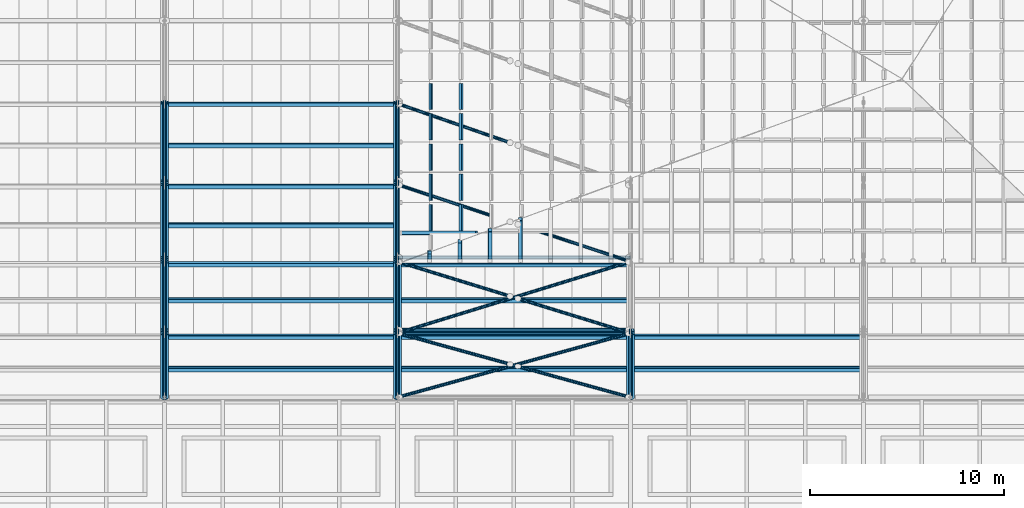
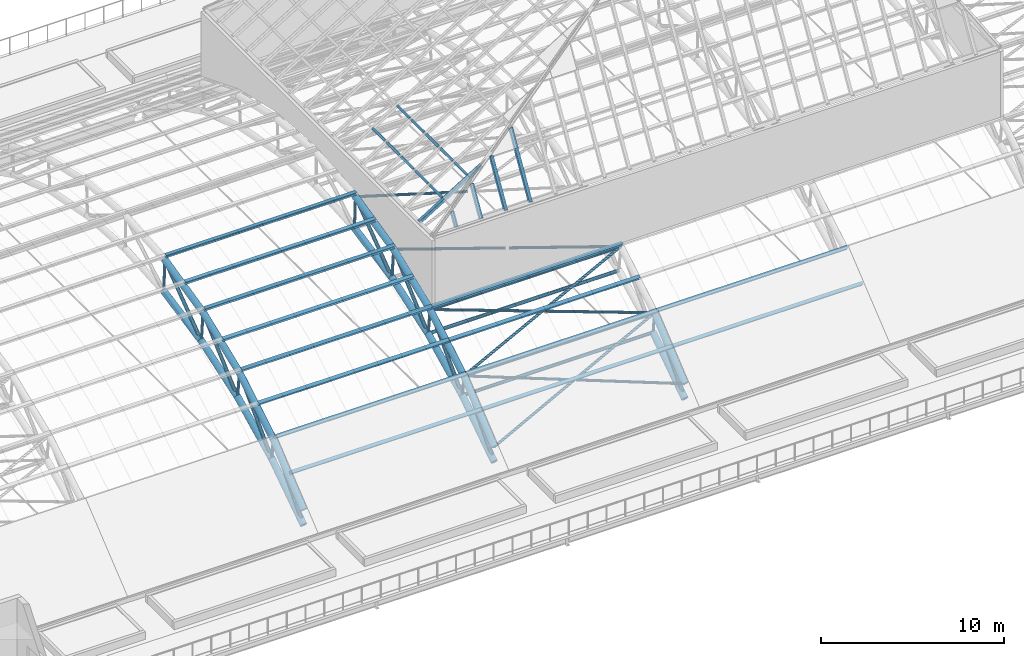
# One storey, part 6 of 110: 78 members.
"""IFC4 building model written with IfcOpenShell, lengths in metres."""

import ifcopenshell
import ifcopenshell.guid

model = None  # the IFC model being written
_history = None  # IfcOwnerHistory: only IFC2X3 demands one
_inside = {}  # id of a spatial element -> (the spatial element, [elements in it])
_under = {}  # id of a project, library or spatial element -> (it, [spatial elements below it])
_declared = {}  # id of a project -> (the project, [libraries it declares])
_typed = {}  # id of a type object -> (the type object, [elements of that type])
_made_of = {}  # id of a material, layer set ... -> (it, [elements and type objects made of it])


def new_model(schema):
    """Start an empty IFC model of exactly this schema.

    Asked for "IFC4X3", IfcOpenShell would pick the latest addendum, in which some entities
    have other attributes; the version numbers below select the first issue.
    IFC2X3 requires an IfcOwnerHistory on every rooted entity: one is made here for all.
    """
    global model, _history
    if schema == "IFC4X3":
        model = ifcopenshell.file(schema_version=(4, 3, 0, 0))
    else:
        model = ifcopenshell.file(schema=schema)
    _inside.clear()
    _under.clear()
    _declared.clear()
    _typed.clear()
    _made_of.clear()
    _history = None
    if model.schema == "IFC2X3":
        org = make("IfcOrganization", Name="unknown")
        user = make(
            "IfcPersonAndOrganization",
            ThePerson=make("IfcPerson", FamilyName="unknown"),
            TheOrganization=org,
        )
        app = make(
            "IfcApplication",
            ApplicationDeveloper=org,
            Version="unknown",
            ApplicationFullName="unknown",
            ApplicationIdentifier="unknown",
        )
        _history = make(
            "IfcOwnerHistory",
            OwningUser=user,
            OwningApplication=app,
            ChangeAction="ADDED",
            CreationDate=0,
        )
    return model


def make(cls, **values):
    """One entity of the class cls with the attributes given. An attribute that is None is left unset."""
    return model.create_entity(
        cls, **{name: value for name, value in values.items() if value is not None}
    )


def rooted(cls, **values):
    """An entity with a GlobalId (a new one), such as an element, a storey or a relation."""
    return make(cls, GlobalId=ifcopenshell.guid.new(), OwnerHistory=_history, **values)


def si_unit(unit_type, name, prefix=None):
    """IfcSIUnit, for example si_unit("LENGTHUNIT", "METRE", prefix="MILLI")."""
    return make("IfcSIUnit", UnitType=unit_type, Prefix=prefix, Name=name)


def assignment(units):
    """IfcUnitAssignment: the units of a project."""
    return None if units is None else make("IfcUnitAssignment", Units=units)


def point(xyz):
    """IfcCartesianPoint."""
    return None if xyz is None else make("IfcCartesianPoint", Coordinates=xyz)


def direction(xyz):
    """IfcDirection."""
    return None if xyz is None else make("IfcDirection", DirectionRatios=xyz)


def frame(location, z_axis=None, x_axis=None):
    """IfcAxis2Placement3D, a coordinate frame: its origin and axes. An axis left out is left unset."""
    return make(
        "IfcAxis2Placement3D",
        Location=point(location),
        Axis=direction(z_axis),
        RefDirection=direction(x_axis),
    )


def frame_2d(location, x_axis=None):
    """IfcAxis2Placement2D, a coordinate frame in the plane: its origin and x axis."""
    return make(
        "IfcAxis2Placement2D", Location=point(location), RefDirection=direction(x_axis)
    )


def origin():
    """The frame at (0, 0, 0) with its axes left unset."""
    return frame((0.0, 0.0, 0.0))


def origin_2d():
    """The frame at (0, 0) in the plane with its x axis left unset."""
    return frame_2d((0.0, 0.0))


def place(relative_to, where):
    """IfcLocalPlacement: puts the frame where relative to a parent placement (None: the world)."""
    return make(
        "IfcLocalPlacement", PlacementRelTo=relative_to, RelativePlacement=where
    )


def context(
    kind, dimensions, precision=None, world=None, true_north=None, identifier=None
):
    """IfcGeometricRepresentationContext, for example the 3D "Model" context."""
    return make(
        "IfcGeometricRepresentationContext",
        ContextIdentifier=identifier,
        ContextType=kind,
        CoordinateSpaceDimension=dimensions,
        Precision=precision,
        WorldCoordinateSystem=world,
        TrueNorth=true_north,
    )


def subcontext(parent, identifier, kind, view, scale=None):
    """IfcGeometricRepresentationSubContext, for example "Body" below "Model"."""
    return make(
        "IfcGeometricRepresentationSubContext",
        ContextIdentifier=identifier,
        ContextType=kind,
        ParentContext=parent,
        TargetScale=scale,
        TargetView=view,
    )


def project(units=None, contexts=None):
    """IfcProject with its units and contexts."""
    return rooted(
        "IfcProject",
        Name="project",
        RepresentationContexts=contexts,
        UnitsInContext=assignment(units),
    )


def spatial(cls, under=None, at=None, **own):
    """A site, building, storey or space (cls), placed at a placement, below another one or the project."""
    s = rooted(cls, ObjectPlacement=at, **own)
    if under is not None:
        _under.setdefault(under.id(), (under, []))[1].append(s)
    return s


def profile(cls, at=None, kind="AREA", **sizes):
    """A parametric profile (cls). Its sizes go by their IFC names, for example OverallWidth=200.0."""
    return make(cls, ProfileType=kind, Position=at, **sizes)


def hollow_rectangle(**sizes):
    """IfcRectangleHollowProfileDef."""
    return profile("IfcRectangleHollowProfileDef", **sizes)


def hollow_circle(**sizes):
    """IfcCircleHollowProfileDef."""
    return profile("IfcCircleHollowProfileDef", **sizes)


def i_section(**sizes):
    """IfcIShapeProfileDef."""
    return profile("IfcIShapeProfileDef", **sizes)


def extrude(swept, where, along, depth):
    """IfcExtrudedAreaSolid: the profile swept, set in the frame where, extruded along a direction by depth."""
    return make(
        "IfcExtrudedAreaSolid",
        SweptArea=swept,
        Position=where,
        ExtrudedDirection=direction(along),
        Depth=depth,
    )


def shape(context_of_items, identifier, shape_type, items):
    """IfcShapeRepresentation: the items that make up one representation, for example the "Body"."""
    return make(
        "IfcShapeRepresentation",
        ContextOfItems=context_of_items,
        RepresentationIdentifier=identifier,
        RepresentationType=shape_type,
        Items=items,
    )


def material(Name=None, Category=None):
    """IfcMaterial."""
    return make("IfcMaterial", Name=Name, Category=Category)


def material_profile(
    of_material, cross_section, Name=None, Category=None, Priority=None
):
    """IfcMaterialProfile: a cross section and its material."""
    return make(
        "IfcMaterialProfile",
        Name=Name,
        Material=of_material,
        Profile=cross_section,
        Priority=Priority,
        Category=Category,
    )


def profile_set(profiles, Name=None, composite=None):
    """IfcMaterialProfileSet."""
    return make(
        "IfcMaterialProfileSet",
        Name=Name,
        MaterialProfiles=profiles,
        CompositeProfile=composite,
    )


def made_of(thing, what):
    """Note that an element or type object is made of a material, layer set ...; save() writes the relation."""
    if what is not None:
        _made_of.setdefault(what.id(), (what, []))[1].append(thing)
    return thing


def type_object(cls, material=None, **own):
    """A type object (cls), such as IfcWallType, which elements share."""
    return made_of(rooted(cls, **own), material)


def element(
    cls,
    number,
    at=None,
    inside=None,
    cuts=None,
    type_object=None,
    material=None,
    context=None,
    identifier="Body",
    shape_type=None,
    held_by="IfcProductDefinitionShape",
    body=None,
    shapes=None,
    **own,
):
    """One element of the class cls, such as IfcWall. Its Tag is "e" and its number.

    at: its placement. inside: the storey or other place that contains it. cuts: it is an
    opening in that element (IfcRelVoidsElement). A single representation is given by context,
    identifier, shape_type and body (its items); several are given by shapes. held_by: the class
    of the entity that holds the representations. save() writes the other relations.
    """
    e = rooted(cls, Tag="e%d" % number, ObjectPlacement=at, **own)
    if body is not None:
        shapes = [shape(context, identifier, shape_type, body)]
    if shapes is not None:
        e.Representation = make(held_by, Representations=shapes)
    if inside is not None:
        _inside.setdefault(inside.id(), (inside, []))[1].append(e)
    if cuts is not None:
        rooted(
            "IfcRelVoidsElement", RelatingBuildingElement=cuts, RelatedOpeningElement=e
        )
    if type_object is not None:
        _typed.setdefault(type_object.id(), (type_object, []))[1].append(e)
    return made_of(e, material)


def aggregate(whole, parts):
    """IfcRelAggregates: a whole, such as a stair, and the parts it consists of."""
    return rooted("IfcRelAggregates", RelatingObject=whole, RelatedObjects=parts)


def save(model, path):
    """Write the relations noted so far, then the file.

    IfcRelAggregates (storeys below a building ...), IfcRelContainedInSpatialStructure (elements
    in a storey), IfcRelDefinesByType, IfcRelAssociatesMaterial and IfcRelDeclares: one each for
    every whole, place, type object, material and project.
    """
    for whole, parts in _under.values():
        aggregate(whole, parts)
    for where, things in _inside.values():
        rooted(
            "IfcRelContainedInSpatialStructure",
            RelatedElements=things,
            RelatingStructure=where,
        )
    for kind, things in _typed.values():
        rooted("IfcRelDefinesByType", RelatedObjects=things, RelatingType=kind)
    for what, things in _made_of.values():
        rooted("IfcRelAssociatesMaterial", RelatedObjects=things, RelatingMaterial=what)
    for by, libraries in _declared.values():
        rooted("IfcRelDeclares", RelatingContext=by, RelatedDefinitions=libraries)
    model.write(path)


model = new_model("IFC4")

# Units and contexts
model_context = context("Model", 3, precision=1e-05, world=origin(), true_north=direction((0.0, 1.0)))
body_context = subcontext(model_context, "Body", "Model", "MODEL_VIEW")
ifc_project = project(units=[si_unit("LENGTHUNIT", "METRE"), si_unit("AREAUNIT", "SQUARE_METRE"), si_unit("VOLUMEUNIT", "CUBIC_METRE"), si_unit("PLANEANGLEUNIT", "RADIAN"), si_unit("MASSUNIT", "GRAM", prefix="KILO")], contexts=[model_context])

# Site, building, storey
site_placement = place(None, origin())
site = spatial("IfcSite", under=ifc_project, at=site_placement, CompositionType="ELEMENT")
building_placement = place(site_placement, origin())
building = spatial("IfcBuilding", under=site, at=building_placement, Name="Windward Yard Aquatics Centre", CompositionType="ELEMENT")
storey_placement = place(building_placement, frame((0.0, 0.0, 22.60009765625)))
storey = spatial("IfcBuildingStorey", under=building, at=storey_placement, Name="L05", CompositionType="ELEMENT", Elevation=22.60009765625)

# Members
ifc_material_1 = material(Name="Steel ASTM A500 Gr C", Category="steel")
ifc_material_profile_1 = material_profile(ifc_material_1, hollow_circle(Radius=0.084228515625, WallThickness=0.010986328125, at=origin_2d()), Name="HSS168.3X11")
ifc_profile_set_1 = profile_set([ifc_material_profile_1], Name="Steel ASTM A500 Gr C")
member_type_1 = type_object("IfcMemberType", Name="H arch post HSS168.3X11", PredefinedType="POST", material=ifc_profile_set_1)
member_1_placement = place(storey_placement, frame((84.0, 45.064697265625, 2.319580078125), z_axis=(0.0, -0.111745510026, 0.993736857015), x_axis=(1.0, 0.0, 0.0)))
element("IfcMember", 1, at=member_1_placement, inside=storey, type_object=member_type_1, Name="H.AT.3.WP02", PredefinedType="POST", context=body_context, shape_type="SweptSolid", body=[
    extrude(hollow_circle(Radius=0.084228515625, WallThickness=0.010986328125, at=origin_2d()), origin(), (0.0, 0.0, 1.0), 1.406982421875),
])
member_2_placement = place(storey_placement, frame((84.0, 48.802734375, 4.16650390625), z_axis=(0.0, -0.121591772527, 0.992580193664), x_axis=(1.0, 0.0, 0.0)))
element("IfcMember", 2, at=member_2_placement, inside=storey, type_object=member_type_1, Name="H.AT.3.WP03", PredefinedType="POST", context=body_context, shape_type="SweptSolid", body=[
    extrude(hollow_circle(Radius=0.084228515625, WallThickness=0.010986328125, at=origin_2d()), origin(), (0.0, 0.0, 1.0), 1.746826171875),
])
member_3_placement = place(storey_placement, frame((84.0, 52.750244140625, 5.5087890625), z_axis=(0.0, -0.094018625473, 0.995570438525), x_axis=(1.0, 0.0, 0.0)))
element("IfcMember", 3, at=member_3_placement, inside=storey, type_object=member_type_1, Name="H.AT.3.WP04", PredefinedType="POST", context=body_context, shape_type="SweptSolid", body=[
    extrude(hollow_circle(Radius=0.084228515625, WallThickness=0.010986328125, at=origin_2d()), origin(), (0.0, 0.0, 1.0), 1.996826171875),
])
member_4_placement = place(storey_placement, frame((84.0, 56.83935546875, 6.323486328125), z_axis=(0.0, -0.050215263417, 0.998738417865), x_axis=(1.0, 0.0, 0.0)))
element("IfcMember", 4, at=member_4_placement, inside=storey, type_object=member_type_1, Name="H.AT.3.WP05", PredefinedType="POST", context=body_context, shape_type="SweptSolid", body=[
    extrude(hollow_circle(Radius=0.084228515625, WallThickness=0.010986328125, at=origin_2d()), origin(), (0.0, 0.0, 1.0), 2.14892578125),
])
member_5_placement = place(storey_placement, frame((96.0, 45.064697265625, 2.319580078125), z_axis=(0.0, -0.111745510026, 0.993736857015), x_axis=(1.0, 0.0, 0.0)))
element("IfcMember", 5, at=member_5_placement, inside=storey, type_object=member_type_1, Name="H.AT.4.WP02", PredefinedType="POST", context=body_context, shape_type="SweptSolid", body=[
    extrude(hollow_circle(Radius=0.084228515625, WallThickness=0.010986328125, at=origin_2d()), origin(), (0.0, 0.0, 1.0), 1.406982421875),
])
member_6_placement = place(storey_placement, frame((96.0, 48.802734375, 4.16650390625), z_axis=(0.0, -0.121591772527, 0.992580193664), x_axis=(1.0, 0.0, 0.0)))
element("IfcMember", 6, at=member_6_placement, inside=storey, type_object=member_type_1, Name="H.AT.4.WP03", PredefinedType="POST", context=body_context, shape_type="SweptSolid", body=[
    extrude(hollow_circle(Radius=0.084228515625, WallThickness=0.010986328125, at=origin_2d()), origin(), (0.0, 0.0, 1.0), 1.746826171875),
])
member_7_placement = place(storey_placement, frame((96.0, 52.750244140625, 5.5087890625), z_axis=(0.0, -0.094018625473, 0.995570438525), x_axis=(1.0, 0.0, 0.0)))
element("IfcMember", 7, at=member_7_placement, inside=storey, type_object=member_type_1, Name="H.AT.4.WP04", PredefinedType="POST", context=body_context, shape_type="SweptSolid", body=[
    extrude(hollow_circle(Radius=0.084228515625, WallThickness=0.010986328125, at=origin_2d()), origin(), (0.0, 0.0, 1.0), 1.996826171875),
])
member_8_placement = place(storey_placement, frame((96.0, 56.83935546875, 6.323486328125), z_axis=(0.0, -0.050215263417, 0.998738417865), x_axis=(1.0, 0.0, 0.0)))
element("IfcMember", 8, at=member_8_placement, inside=storey, type_object=member_type_1, Name="H.AT.4.WP05", PredefinedType="POST", context=body_context, shape_type="SweptSolid", body=[
    extrude(hollow_circle(Radius=0.084228515625, WallThickness=0.010986328125, at=origin_2d()), origin(), (0.0, 0.0, 1.0), 2.14892578125),
])
member_9_placement = place(storey_placement, frame((108.0, 45.064697265625, 2.319580078125), z_axis=(0.0, -0.111745510026, 0.993736857015), x_axis=(1.0, 0.0, 0.0)))
element("IfcMember", 9, at=member_9_placement, inside=storey, type_object=member_type_1, Name="H.AT.5.WP02", PredefinedType="POST", context=body_context, shape_type="SweptSolid", body=[
    extrude(hollow_circle(Radius=0.084228515625, WallThickness=0.010986328125, at=origin_2d()), origin(), (0.0, 0.0, 1.0), 1.406982421875),
])
ifc_material_profile_2 = material_profile(ifc_material_1, hollow_circle(Radius=0.203125, WallThickness=0.015869140625, at=origin_2d()), Name="HSS406.4X15.9")
ifc_profile_set_2 = profile_set([ifc_material_profile_2], Name="Steel ASTM A500 Gr C")
member_type_2 = type_object("IfcMemberType", Name="H arch top chord HSS406.4X15.9", PredefinedType="CHORD", material=ifc_profile_set_2)
member_10_placement = place(storey_placement, frame((84.0, 41.60009765625, 1.0), z_axis=(0.0, 0.772611352747, 0.634879277979), x_axis=(-1.0, 0.0, 0.0)))
element("IfcMember", 10, at=member_10_placement, inside=storey, type_object=member_type_2, Name="H.AT.3.TC01", PredefinedType="CHORD", context=body_context, shape_type="SweptSolid", body=[
    extrude(hollow_circle(Radius=0.203125, WallThickness=0.015869140625, at=origin_2d()), origin(), (0.0, 0.0, 1.0), 4.28076171875),
])
member_11_placement = place(storey_placement, frame((84.0, 41.60009765625, 0.0), z_axis=(0.0, 0.83095865789, 0.556334170151), x_axis=(-1.0, 0.0, 0.0)))
element("IfcMember", 11, at=member_11_placement, inside=storey, type_object=member_type_2, Name="H.AT.3.BC01", PredefinedType="CHORD", context=body_context, shape_type="SweptSolid", body=[
    extrude(hollow_circle(Radius=0.203125, WallThickness=0.015869140625, at=origin_2d()), origin(), (0.0, 0.0, 1.0), 4.16943359375),
])
member_12_placement = place(storey_placement, frame((84.0, 44.907470703125, 3.7177734375), z_axis=(0.0, 0.860273006082, 0.509833654251), x_axis=(-1.0, 0.0, 0.0)))
element("IfcMember", 12, at=member_12_placement, inside=storey, type_object=member_type_2, Name="H.AT.3.TC02", PredefinedType="CHORD", context=body_context, shape_type="SweptSolid", body=[
    extrude(hollow_circle(Radius=0.203125, WallThickness=0.015869140625, at=origin_2d()), origin(), (0.0, 0.0, 1.0), 4.281005859375),
])
member_13_placement = place(storey_placement, frame((84.0, 45.064697265625, 2.319580078125), z_axis=(0.0, 0.896536837976, 0.4429691842), x_axis=(-1.0, 0.0, 0.0)))
element("IfcMember", 13, at=member_13_placement, inside=storey, type_object=member_type_2, Name="H.AT.3.BC02", PredefinedType="CHORD", context=body_context, shape_type="SweptSolid", body=[
    extrude(hollow_circle(Radius=0.203125, WallThickness=0.015869140625, at=origin_2d()), origin(), (0.0, 0.0, 1.0), 4.16943359375),
])
member_14_placement = place(storey_placement, frame((84.0, 48.59033203125, 5.900390625), z_axis=(0.0, 0.92786581708, 0.372914233429), x_axis=(-1.0, 0.0, 0.0)))
element("IfcMember", 14, at=member_14_placement, inside=storey, type_object=member_type_2, Name="H.AT.3.TC03", PredefinedType="CHORD", context=body_context, shape_type="SweptSolid", body=[
    extrude(hollow_circle(Radius=0.203125, WallThickness=0.015869140625, at=origin_2d()), origin(), (0.0, 0.0, 1.0), 4.281005859375),
])
member_15_placement = place(storey_placement, frame((84.0, 48.802734375, 4.16650390625), z_axis=(0.0, 0.946763107829, 0.321931075938), x_axis=(-1.0, 0.0, 0.0)))
element("IfcMember", 15, at=member_15_placement, inside=storey, type_object=member_type_2, Name="H.AT.3.BC03", PredefinedType="CHORD", context=body_context, shape_type="SweptSolid", body=[
    extrude(hollow_circle(Radius=0.203125, WallThickness=0.015869140625, at=origin_2d()), origin(), (0.0, 0.0, 1.0), 4.16943359375),
])
member_16_placement = place(storey_placement, frame((84.0, 52.5625, 7.496826171875), z_axis=(0.0, 0.973833637334, 0.227262066337), x_axis=(-1.0, 0.0, 0.0)))
element("IfcMember", 16, at=member_16_placement, inside=storey, type_object=member_type_2, Name="H.AT.3.TC04", PredefinedType="CHORD", context=body_context, shape_type="SweptSolid", body=[
    extrude(hollow_circle(Radius=0.203125, WallThickness=0.015869140625, at=origin_2d()), origin(), (0.0, 0.0, 1.0), 4.281005859375),
])
member_17_placement = place(storey_placement, frame((84.0, 52.750244140625, 5.5087890625), z_axis=(0.0, 0.980724544319, 0.195395414914), x_axis=(-1.0, 0.0, 0.0)))
element("IfcMember", 17, at=member_17_placement, inside=storey, type_object=member_type_2, Name="H.AT.3.BC04", PredefinedType="CHORD", context=body_context, shape_type="SweptSolid", body=[
    extrude(hollow_circle(Radius=0.203125, WallThickness=0.015869140625, at=origin_2d()), origin(), (0.0, 0.0, 1.0), 4.16943359375),
])
member_18_placement = place(storey_placement, frame((96.0, 41.60009765625, 1.0), z_axis=(0.0, 0.772611352747, 0.634879277979), x_axis=(-1.0, 0.0, 0.0)))
element("IfcMember", 18, at=member_18_placement, inside=storey, type_object=member_type_2, Name="H.AT.4.TC01", PredefinedType="CHORD", context=body_context, shape_type="SweptSolid", body=[
    extrude(hollow_circle(Radius=0.203125, WallThickness=0.015869140625, at=origin_2d()), origin(), (0.0, 0.0, 1.0), 4.28076171875),
])
member_19_placement = place(storey_placement, frame((96.0, 41.60009765625, 0.0), z_axis=(0.0, 0.83095865789, 0.556334170151), x_axis=(-1.0, 0.0, 0.0)))
element("IfcMember", 19, at=member_19_placement, inside=storey, type_object=member_type_2, Name="H.AT.4.BC01", PredefinedType="CHORD", context=body_context, shape_type="SweptSolid", body=[
    extrude(hollow_circle(Radius=0.203125, WallThickness=0.015869140625, at=origin_2d()), origin(), (0.0, 0.0, 1.0), 4.16943359375),
])
member_20_placement = place(storey_placement, frame((96.0, 44.907470703125, 3.7177734375), z_axis=(0.0, 0.860273006082, 0.509833654251), x_axis=(-1.0, 0.0, 0.0)))
element("IfcMember", 20, at=member_20_placement, inside=storey, type_object=member_type_2, Name="H.AT.4.TC02", PredefinedType="CHORD", context=body_context, shape_type="SweptSolid", body=[
    extrude(hollow_circle(Radius=0.203125, WallThickness=0.015869140625, at=origin_2d()), origin(), (0.0, 0.0, 1.0), 4.281005859375),
])
member_21_placement = place(storey_placement, frame((96.0, 45.064697265625, 2.319580078125), z_axis=(0.0, 0.896536837976, 0.4429691842), x_axis=(-1.0, 0.0, 0.0)))
element("IfcMember", 21, at=member_21_placement, inside=storey, type_object=member_type_2, Name="H.AT.4.BC02", PredefinedType="CHORD", context=body_context, shape_type="SweptSolid", body=[
    extrude(hollow_circle(Radius=0.203125, WallThickness=0.015869140625, at=origin_2d()), origin(), (0.0, 0.0, 1.0), 4.16943359375),
])
member_22_placement = place(storey_placement, frame((96.0, 48.59033203125, 5.900390625), z_axis=(0.0, 0.92786581708, 0.372914233429), x_axis=(-1.0, 0.0, 0.0)))
element("IfcMember", 22, at=member_22_placement, inside=storey, type_object=member_type_2, Name="H.AT.4.TC03", PredefinedType="CHORD", context=body_context, shape_type="SweptSolid", body=[
    extrude(hollow_circle(Radius=0.203125, WallThickness=0.015869140625, at=origin_2d()), origin(), (0.0, 0.0, 1.0), 4.281005859375),
])
member_23_placement = place(storey_placement, frame((96.0, 48.802734375, 4.16650390625), z_axis=(0.0, 0.946763107829, 0.321931075938), x_axis=(-1.0, 0.0, 0.0)))
element("IfcMember", 23, at=member_23_placement, inside=storey, type_object=member_type_2, Name="H.AT.4.BC03", PredefinedType="CHORD", context=body_context, shape_type="SweptSolid", body=[
    extrude(hollow_circle(Radius=0.203125, WallThickness=0.015869140625, at=origin_2d()), origin(), (0.0, 0.0, 1.0), 4.16943359375),
])
member_24_placement = place(storey_placement, frame((96.0, 52.5625, 7.496826171875), z_axis=(0.0, 0.973833637334, 0.227262066337), x_axis=(-1.0, 0.0, 0.0)))
element("IfcMember", 24, at=member_24_placement, inside=storey, type_object=member_type_2, Name="H.AT.4.TC04", PredefinedType="CHORD", context=body_context, shape_type="SweptSolid", body=[
    extrude(hollow_circle(Radius=0.203125, WallThickness=0.015869140625, at=origin_2d()), origin(), (0.0, 0.0, 1.0), 4.281005859375),
])
member_25_placement = place(storey_placement, frame((96.0, 52.750244140625, 5.5087890625), z_axis=(0.0, 0.980724544319, 0.195395414914), x_axis=(-1.0, 0.0, 0.0)))
element("IfcMember", 25, at=member_25_placement, inside=storey, type_object=member_type_2, Name="H.AT.4.BC04", PredefinedType="CHORD", context=body_context, shape_type="SweptSolid", body=[
    extrude(hollow_circle(Radius=0.203125, WallThickness=0.015869140625, at=origin_2d()), origin(), (0.0, 0.0, 1.0), 4.16943359375),
])
member_26_placement = place(storey_placement, frame((108.0, 41.60009765625, 1.0), z_axis=(0.0, 0.772611352747, 0.634879277979), x_axis=(-1.0, 0.0, 0.0)))
element("IfcMember", 26, at=member_26_placement, inside=storey, type_object=member_type_2, Name="H.AT.5.TC01", PredefinedType="CHORD", context=body_context, shape_type="SweptSolid", body=[
    extrude(hollow_circle(Radius=0.203125, WallThickness=0.015869140625, at=origin_2d()), origin(), (0.0, 0.0, 1.0), 4.28076171875),
])
member_27_placement = place(storey_placement, frame((108.0, 41.60009765625, 0.0), z_axis=(0.0, 0.83095865789, 0.556334170151), x_axis=(-1.0, 0.0, 0.0)))
element("IfcMember", 27, at=member_27_placement, inside=storey, type_object=member_type_2, Name="H.AT.5.BC01", PredefinedType="CHORD", context=body_context, shape_type="SweptSolid", body=[
    extrude(hollow_circle(Radius=0.203125, WallThickness=0.015869140625, at=origin_2d()), origin(), (0.0, 0.0, 1.0), 4.16943359375),
])
ifc_material_profile_3 = material_profile(ifc_material_1, hollow_circle(Radius=0.109619140625, WallThickness=0.00830078125, at=origin_2d()), Name="HSS219.1X8.2")
ifc_profile_set_3 = profile_set([ifc_material_profile_3], Name="Steel ASTM A500 Gr C")
member_type_3 = type_object("IfcMemberType", Name="H arch web diagonal HSS219.1X8.2", PredefinedType="BRACE", material=ifc_profile_set_3)
member_28_placement = place(storey_placement, frame((84.0, 41.60009765625, 0.0), z_axis=(0.0, 0.664665272452, 0.747141268835), x_axis=(-1.0, 0.0, 0.0)))
element("IfcMember", 28, at=member_28_placement, inside=storey, type_object=member_type_3, Name="H.AT.3.WD01", PredefinedType="BRACE", context=body_context, shape_type="SweptSolid", body=[
    extrude(hollow_circle(Radius=0.109619140625, WallThickness=0.00830078125, at=origin_2d()), origin(), (0.0, 0.0, 1.0), 4.97607421875),
])
member_29_placement = place(storey_placement, frame((84.0, 45.064697265625, 2.319580078125), z_axis=(0.0, 0.701595524129, 0.712575413919), x_axis=(-1.0, 0.0, 0.0)))
element("IfcMember", 29, at=member_29_placement, inside=storey, type_object=member_type_3, Name="H.AT.3.WD02", PredefinedType="BRACE", context=body_context, shape_type="SweptSolid", body=[
    extrude(hollow_circle(Radius=0.109619140625, WallThickness=0.00830078125, at=origin_2d()), origin(), (0.0, 0.0, 1.0), 5.025146484375),
])
member_30_placement = place(storey_placement, frame((84.0, 48.802734375, 4.16650390625), z_axis=(0.0, 0.748564053538, 0.663062484047), x_axis=(-1.0, 0.0, 0.0)))
element("IfcMember", 30, at=member_30_placement, inside=storey, type_object=member_type_3, Name="H.AT.3.WD03", PredefinedType="BRACE", context=body_context, shape_type="SweptSolid", body=[
    extrude(hollow_circle(Radius=0.109619140625, WallThickness=0.00830078125, at=origin_2d()), origin(), (0.0, 0.0, 1.0), 5.022705078125),
])
member_31_placement = place(storey_placement, frame((84.0, 52.750244140625, 5.5087890625), z_axis=(0.0, 0.802408568981, 0.596775073563), x_axis=(-1.0, 0.0, 0.0)))
element("IfcMember", 31, at=member_31_placement, inside=storey, type_object=member_type_3, Name="H.AT.3.WD04", PredefinedType="BRACE", context=body_context, shape_type="SweptSolid", body=[
    extrude(hollow_circle(Radius=0.109619140625, WallThickness=0.00830078125, at=origin_2d()), origin(), (0.0, 0.0, 1.0), 4.961669921875),
])
member_32_placement = place(storey_placement, frame((96.0, 41.60009765625, 0.0), z_axis=(0.0, 0.664665272452, 0.747141268835), x_axis=(-1.0, 0.0, 0.0)))
element("IfcMember", 32, at=member_32_placement, inside=storey, type_object=member_type_3, Name="H.AT.4.WD01", PredefinedType="BRACE", context=body_context, shape_type="SweptSolid", body=[
    extrude(hollow_circle(Radius=0.109619140625, WallThickness=0.00830078125, at=origin_2d()), origin(), (0.0, 0.0, 1.0), 4.97607421875),
])
member_33_placement = place(storey_placement, frame((96.0, 45.064697265625, 2.319580078125), z_axis=(0.0, 0.701595524129, 0.712575413919), x_axis=(-1.0, 0.0, 0.0)))
element("IfcMember", 33, at=member_33_placement, inside=storey, type_object=member_type_3, Name="H.AT.4.WD02", PredefinedType="BRACE", context=body_context, shape_type="SweptSolid", body=[
    extrude(hollow_circle(Radius=0.109619140625, WallThickness=0.00830078125, at=origin_2d()), origin(), (0.0, 0.0, 1.0), 5.025146484375),
])
member_34_placement = place(storey_placement, frame((96.0, 48.802734375, 4.16650390625), z_axis=(0.0, 0.748564053538, 0.663062484047), x_axis=(-1.0, 0.0, 0.0)))
element("IfcMember", 34, at=member_34_placement, inside=storey, type_object=member_type_3, Name="H.AT.4.WD03", PredefinedType="BRACE", context=body_context, shape_type="SweptSolid", body=[
    extrude(hollow_circle(Radius=0.109619140625, WallThickness=0.00830078125, at=origin_2d()), origin(), (0.0, 0.0, 1.0), 5.022705078125),
])
member_35_placement = place(storey_placement, frame((96.0, 52.750244140625, 5.5087890625), z_axis=(0.0, 0.802408568981, 0.596775073563), x_axis=(-1.0, 0.0, 0.0)))
element("IfcMember", 35, at=member_35_placement, inside=storey, type_object=member_type_3, Name="H.AT.4.WD04", PredefinedType="BRACE", context=body_context, shape_type="SweptSolid", body=[
    extrude(hollow_circle(Radius=0.109619140625, WallThickness=0.00830078125, at=origin_2d()), origin(), (0.0, 0.0, 1.0), 4.961669921875),
])
member_36_placement = place(storey_placement, frame((108.0, 41.60009765625, 0.0), z_axis=(0.0, 0.664665272452, 0.747141268835), x_axis=(-1.0, 0.0, 0.0)))
element("IfcMember", 36, at=member_36_placement, inside=storey, type_object=member_type_3, Name="H.AT.5.WD01", PredefinedType="BRACE", context=body_context, shape_type="SweptSolid", body=[
    extrude(hollow_circle(Radius=0.109619140625, WallThickness=0.00830078125, at=origin_2d()), origin(), (0.0, 0.0, 1.0), 4.97607421875),
])
ifc_material_profile_4 = material_profile(ifc_material_1, hollow_rectangle(XDim=0.15234375, YDim=0.15234375, WallThickness=0.009521484375, InnerFilletRadius=0.004638671875, OuterFilletRadius=0.01416015625, at=origin_2d()), Name="HSS152X152X9.5")
ifc_profile_set_4 = profile_set([ifc_material_profile_4], Name="Steel ASTM A500 Gr C")
member_type_4 = type_object("IfcMemberType", Name="H lantern purlin HSS152X152X9.5", PredefinedType="PURLIN", material=ifc_profile_set_4)
for number, where, z_axis, x_axis, name in (
    (37, (97.715576171875, 50.17333984375, 11.76025390625), (0.0, 1.0, 0.0), (-0.850755160219, 0.0, -0.525562229771), "H.LN.U.04.01.02"),
    (38, (97.715576171875, 51.734619140625, 11.76025390625), (0.0, 1.0, 0.0), (-0.850755160219, 0.0, -0.525562229771), "H.LN.U.04.01.03"),
):
    element("IfcMember", number, at=place(storey_placement, frame(where, z_axis=z_axis, x_axis=x_axis)), inside=storey, type_object=member_type_4, Name=name, PredefinedType="PURLIN", context=body_context, shape_type="SweptSolid", body=[
        extrude(hollow_rectangle(XDim=0.15234375, YDim=0.15234375, WallThickness=0.009521484375, InnerFilletRadius=0.004638671875, OuterFilletRadius=0.01416015625, at=origin_2d()), origin(), (0.0, 0.0, 1.0), 1.35791015625),
    ])
member_37_placement = place(storey_placement, frame((97.715576171875, 53.295654296875, 11.76025390625), z_axis=(0.0, 1.0, 0.0), x_axis=(-0.850755160219, 0.0, -0.525562229771)))
element("IfcMember", 39, at=member_37_placement, inside=storey, type_object=member_type_4, Name="H.LN.U.04.01.04", PredefinedType="PURLIN", context=body_context, shape_type="SweptSolid", body=[
    extrude(hollow_rectangle(XDim=0.15234375, YDim=0.15234375, WallThickness=0.009521484375, InnerFilletRadius=0.004638671875, OuterFilletRadius=0.01416015625, at=origin_2d()), origin(), (0.0, 0.0, 1.0), 1.358154296875),
])
member_38_placement = place(storey_placement, frame((97.715576171875, 54.85693359375, 11.76025390625), z_axis=(0.0, 1.0, 0.0), x_axis=(-0.850755160219, 0.0, -0.525562229771)))
element("IfcMember", 40, at=member_38_placement, inside=storey, type_object=member_type_4, Name="H.LN.U.04.01.05", PredefinedType="PURLIN", context=body_context, shape_type="SweptSolid", body=[
    extrude(hollow_rectangle(XDim=0.15234375, YDim=0.15234375, WallThickness=0.009521484375, InnerFilletRadius=0.004638671875, OuterFilletRadius=0.01416015625, at=origin_2d()), origin(), (0.0, 0.0, 1.0), 1.35791015625),
])
member_39_placement = place(storey_placement, frame((97.715576171875, 56.418212890625, 11.76025390625), z_axis=(0.0, 1.0, 0.0), x_axis=(-0.850755160219, 0.0, -0.525562229771)))
element("IfcMember", 41, at=member_39_placement, inside=storey, type_object=member_type_4, Name="H.LN.U.04.01.06", PredefinedType="PURLIN", context=body_context, shape_type="SweptSolid", body=[
    extrude(hollow_rectangle(XDim=0.15234375, YDim=0.15234375, WallThickness=0.009521484375, InnerFilletRadius=0.004638671875, OuterFilletRadius=0.01416015625, at=origin_2d()), origin(), (0.0, 0.0, 1.0), 1.357666015625),
])
for number, where, z_axis, x_axis, name in (
    (42, (99.27197265625, 50.17333984375, 12.721923828125), (0.0, 1.0, 0.0), (-0.850755160219, 0.0, -0.525562229771), "H.LN.U.04.02.02"),
    (43, (99.27197265625, 51.734619140625, 12.721923828125), (0.0, 1.0, 0.0), (-0.850755160219, 0.0, -0.525562229771), "H.LN.U.04.02.03"),
):
    element("IfcMember", number, at=place(storey_placement, frame(where, z_axis=z_axis, x_axis=x_axis)), inside=storey, type_object=member_type_4, Name=name, PredefinedType="PURLIN", context=body_context, shape_type="SweptSolid", body=[
        extrude(hollow_rectangle(XDim=0.15234375, YDim=0.15234375, WallThickness=0.009521484375, InnerFilletRadius=0.004638671875, OuterFilletRadius=0.01416015625, at=origin_2d()), origin(), (0.0, 0.0, 1.0), 1.35791015625),
    ])
member_40_placement = place(storey_placement, frame((99.27197265625, 53.295654296875, 12.721923828125), z_axis=(0.0, 1.0, 0.0), x_axis=(-0.850755160219, 0.0, -0.525562229771)))
element("IfcMember", 44, at=member_40_placement, inside=storey, type_object=member_type_4, Name="H.LN.U.04.02.04", PredefinedType="PURLIN", context=body_context, shape_type="SweptSolid", body=[
    extrude(hollow_rectangle(XDim=0.15234375, YDim=0.15234375, WallThickness=0.009521484375, InnerFilletRadius=0.004638671875, OuterFilletRadius=0.01416015625, at=origin_2d()), origin(), (0.0, 0.0, 1.0), 1.358154296875),
])
member_41_placement = place(storey_placement, frame((99.27197265625, 54.85693359375, 12.721923828125), z_axis=(0.0, 1.0, 0.0), x_axis=(-0.850755160219, 0.0, -0.525562229771)))
element("IfcMember", 45, at=member_41_placement, inside=storey, type_object=member_type_4, Name="H.LN.U.04.02.05", PredefinedType="PURLIN", context=body_context, shape_type="SweptSolid", body=[
    extrude(hollow_rectangle(XDim=0.15234375, YDim=0.15234375, WallThickness=0.009521484375, InnerFilletRadius=0.004638671875, OuterFilletRadius=0.01416015625, at=origin_2d()), origin(), (0.0, 0.0, 1.0), 1.35791015625),
])
member_42_placement = place(storey_placement, frame((99.27197265625, 56.418212890625, 12.721923828125), z_axis=(0.0, 1.0, 0.0), x_axis=(-0.850755160219, 0.0, -0.525562229771)))
element("IfcMember", 46, at=member_42_placement, inside=storey, type_object=member_type_4, Name="H.LN.U.04.02.06", PredefinedType="PURLIN", context=body_context, shape_type="SweptSolid", body=[
    extrude(hollow_rectangle(XDim=0.15234375, YDim=0.15234375, WallThickness=0.009521484375, InnerFilletRadius=0.004638671875, OuterFilletRadius=0.01416015625, at=origin_2d()), origin(), (0.0, 0.0, 1.0), 1.357666015625),
])
ifc_material_profile_5 = material_profile(ifc_material_1, hollow_rectangle(XDim=0.203125, YDim=0.203125, WallThickness=0.009521484375, InnerFilletRadius=0.004638671875, OuterFilletRadius=0.01416015625, at=origin_2d()), Name="HSS203X203X9.5")
ifc_profile_set_5 = profile_set([ifc_material_profile_5], Name="Steel ASTM A500 Gr C")
member_type_5 = type_object("IfcMemberType", Name="H lantern rafter HSS203X203X9.5", PredefinedType="RAFTER", material=ifc_profile_set_5)
member_43_placement = place(storey_placement, frame((102.326171875, 48.62890625, 10.823974609375), z_axis=(0.0, 0.510105396644, 0.860111902205), x_axis=(-1.0, 0.0, 0.0)))
element("IfcMember", 47, at=member_43_placement, inside=storey, type_object=member_type_5, Name="H.LN.R.01.19", PredefinedType="RAFTER", context=body_context, shape_type="SweptSolid", body=[
    extrude(hollow_rectangle(XDim=0.203125, YDim=0.203125, WallThickness=0.009521484375, InnerFilletRadius=0.004638671875, OuterFilletRadius=0.01416015625, at=origin_2d()), origin(), (0.0, 0.0, 1.0), 4.218017578125),
])
member_44_placement = place(storey_placement, frame((100.76953125, 48.62890625, 10.823974609375), z_axis=(0.0, 0.510076517217, 0.860129029032), x_axis=(-1.0, 0.0, 0.0)))
element("IfcMember", 48, at=member_44_placement, inside=storey, type_object=member_type_5, Name="H.LN.R.01.20", PredefinedType="RAFTER", context=body_context, shape_type="SweptSolid", body=[
    extrude(hollow_rectangle(XDim=0.203125, YDim=0.203125, WallThickness=0.009521484375, InnerFilletRadius=0.004638671875, OuterFilletRadius=0.01416015625, at=origin_2d()), origin(), (0.0, 0.0, 1.0), 3.10009765625),
])
member_45_placement = place(storey_placement, frame((99.212890625, 48.62890625, 10.823974609375), z_axis=(0.0, 0.510069099817, 0.86013342768), x_axis=(-1.0, 0.0, 0.0)))
element("IfcMember", 49, at=member_45_placement, inside=storey, type_object=member_type_5, Name="H.LN.R.01.21", PredefinedType="RAFTER", context=body_context, shape_type="SweptSolid", body=[
    extrude(hollow_rectangle(XDim=0.203125, YDim=0.203125, WallThickness=0.009521484375, InnerFilletRadius=0.004638671875, OuterFilletRadius=0.01416015625, at=origin_2d()), origin(), (0.0, 0.0, 1.0), 1.982177734375),
])
member_46_placement = place(storey_placement, frame((97.656494140625, 48.62890625, 10.823974609375), z_axis=(0.0, 0.510042484938, 0.860149210055), x_axis=(-1.0, 0.0, 0.0)))
element("IfcMember", 50, at=member_46_placement, inside=storey, type_object=member_type_5, Name="H.LN.R.01.22", PredefinedType="RAFTER", context=body_context, shape_type="SweptSolid", body=[
    extrude(hollow_rectangle(XDim=0.203125, YDim=0.203125, WallThickness=0.009521484375, InnerFilletRadius=0.004638671875, OuterFilletRadius=0.01416015625, at=origin_2d()), origin(), (0.0, 0.0, 1.0), 0.864013671875),
])
member_47_placement = place(storey_placement, frame((96.17236328125, 50.07177734375, 10.777099609375), z_axis=(0.850737181892, 0.0, 0.525591331118), x_axis=(0.0, 1.0, 0.0)))
element("IfcMember", 51, at=member_47_placement, inside=storey, type_object=member_type_5, Name="H.LN.R.04.01", PredefinedType="RAFTER", context=body_context, shape_type="SweptSolid", body=[
    extrude(hollow_rectangle(XDim=0.203125, YDim=0.203125, WallThickness=0.009521484375, InnerFilletRadius=0.004638671875, OuterFilletRadius=0.01416015625, at=origin_2d()), origin(), (0.0, 0.0, 1.0), 4.593017578125),
])
ifc_material_profile_6 = material_profile(ifc_material_1, hollow_circle(Radius=0.084228515625, WallThickness=0.007080078125, at=origin_2d()), Name="HSS168.3X7.1")
ifc_profile_set_6 = profile_set([ifc_material_profile_6], Name="Steel ASTM A500 Gr C")
member_type_6 = type_object("IfcMemberType", Name="H roof brace HSS168.3X7.1", PredefinedType="BRACE", material=ifc_profile_set_6)
member_48_placement = place(storey_placement, frame((96.0, 41.60009765625, 1.0), z_axis=(0.941864717314, 0.259591498321, 0.21331457587), x_axis=(-0.265707128431, 0.964053796165, 0.0)))
element("IfcMember", 52, at=member_48_placement, inside=storey, type_object=member_type_6, Name="H.RB.4.T01A", PredefinedType="BRACE", context=body_context, shape_type="SweptSolid", body=[
    extrude(hollow_circle(Radius=0.084228515625, WallThickness=0.007080078125, at=origin_2d()), origin(), (0.0, 0.0, 1.0), 12.74072265625),
])
for number, where, z_axis, x_axis, name in (
    (53, (96.0, 44.907470703125, 3.7177734375), (0.941869878375, -0.259579962752, -0.213305825397), (0.265694801521, 0.964057193555, 0.0), "H.RB.4.T01B1"),
    (54, (102.1064453125, 43.224365234375, 2.334716796875), (0.941869878375, -0.259579962752, -0.213305825397), (0.265694801521, 0.964057193555, 0.0), "H.RB.4.T01B2"),
):
    element("IfcMember", number, at=place(storey_placement, frame(where, z_axis=z_axis, x_axis=x_axis)), inside=storey, type_object=member_type_6, Name=name, PredefinedType="BRACE", context=body_context, shape_type="SweptSolid", body=[
        extrude(hollow_circle(Radius=0.084228515625, WallThickness=0.007080078125, at=origin_2d()), origin(), (0.0, 0.0, 1.0), 6.25732421875),
    ])
member_49_placement = place(storey_placement, frame((96.0, 44.907470703125, 3.7177734375), z_axis=(0.941858113102, 0.289061068444, 0.171309642154), x_axis=(-0.293398305701, 0.955990289811, 0.0)))
element("IfcMember", 55, at=member_49_placement, inside=storey, type_object=member_type_6, Name="H.RB.4.T02A", PredefinedType="BRACE", context=body_context, shape_type="SweptSolid", body=[
    extrude(hollow_circle(Radius=0.084228515625, WallThickness=0.007080078125, at=origin_2d()), origin(), (0.0, 0.0, 1.0), 12.74072265625),
])
for number, where, z_axis, x_axis, name in (
    (56, (96.0, 48.59033203125, 5.900390625), (0.941852913736, -0.28907159229, -0.171320469934), (0.293409548172, 0.955986839366, 0.0), "H.RB.4.T02B1"),
    (57, (102.1064453125, 46.71630859375, 4.789794921875), (0.941852913736, -0.28907159229, -0.171320469934), (0.293409548172, 0.955986839366, 0.0), "H.RB.4.T02B2"),
    (58, (96.0, 52.5625, 7.496826171875), (0.941858333374, -0.311780859237, -0.125281984609), (0.314256834084, 0.9493380021, 0.0), "H.RB.4.T03B1"),
    (59, (102.1064453125, 50.541259765625, 6.6845703125), (0.941853728826, -0.311779335006, -0.125320388442), (0.314256834084, 0.9493380021, 0.0), "H.RB.4.T03B2"),
    (60, (96.0, 56.7314453125, 8.4697265625), (0.941866761957, -0.327195305127, -0.07635597569), (0.328153308973, 0.944624478727, 0.0), "H.RB.4.T04B1"),
):
    element("IfcMember", number, at=place(storey_placement, frame(where, z_axis=z_axis, x_axis=x_axis)), inside=storey, type_object=member_type_6, Name=name, PredefinedType="BRACE", context=body_context, shape_type="SweptSolid", body=[
        extrude(hollow_circle(Radius=0.084228515625, WallThickness=0.007080078125, at=origin_2d()), origin(), (0.0, 0.0, 1.0), 6.25732421875),
    ])
ifc_material_2 = material(Name="Steel ASTM A992 Gr 50", Category="steel")
ifc_material_profile_7 = material_profile(ifc_material_2, i_section(OverallWidth=0.202880859375, OverallDepth=0.202880859375, WebThickness=0.00732421875, FlangeThickness=0.010986328125, at=origin_2d()), Name="W200X46.1")
ifc_profile_set_7 = profile_set([ifc_material_profile_7], Name="Steel ASTM A992 Gr 50")
member_type_7 = type_object("IfcMemberType", Name="H roof purlin W200X46.1", PredefinedType="PURLIN", material=ifc_profile_set_7)
for number, where, z_axis, x_axis, name in (
    (61, (84.0, 43.060302734375, 2.59423828125), (1.0, 0.0, 0.0), (0.0, 0.772610863417, 0.634879873464), "H.PU.3.02"),
    (62, (84.0, 44.732666015625, 3.96728515625), (1.0, 0.0, 0.0), (0.0, 0.818830898872, 0.574034806481), "H.PU.3.03"),
    (63, (84.0, 46.593505859375, 5.0712890625), (1.0, 0.0, 0.0), (0.0, 0.860270260664, 0.509838286732), "H.PU.3.04"),
    (64, (84.0, 48.45556640625, 6.173583984375), (1.0, 0.0, 0.0), (0.0, 0.896687008655, 0.44266512005), "H.PU.3.05"),
    (65, (84.0, 50.462890625, 6.9814453125), (1.0, 0.0, 0.0), (0.0, 0.927868526784, 0.372907491214), "H.PU.3.06"),
    (66, (84.0, 52.470947265625, 7.787353515625), (1.0, 0.0, 0.0), (0.0, 0.953632764452, 0.300972674115), "H.PU.3.07"),
    (67, (84.0, 54.577880859375, 8.280029296875), (1.0, 0.0, 0.0), (0.0, 0.973829299376, 0.227280653986), "H.PU.3.08"),
    (68, (84.0, 56.68505859375, 8.77099609375), (1.0, 0.0, 0.0), (0.0, 0.988340215831, 0.152261675321), "H.PU.3.09"),
    (69, (96.0, 43.060302734375, 2.59423828125), (1.0, 0.0, 0.0), (0.0, 0.772610863417, 0.634879873464), "H.PU.4.02"),
    (70, (96.0, 44.732666015625, 3.96728515625), (1.0, 0.0, 0.0), (0.0, 0.818830898872, 0.574034806481), "H.PU.4.03"),
    (71, (96.0, 46.593505859375, 5.0712890625), (1.0, 0.0, 0.0), (0.0, 0.860270260664, 0.509838286732), "H.PU.4.04"),
    (72, (96.0, 48.45556640625, 6.173583984375), (1.0, 0.0, 0.0), (0.0, 0.896687008655, 0.44266512005), "H.PU.4.05"),
    (73, (108.0, 43.060302734375, 2.59423828125), (1.0, 0.0, 0.0), (0.0, 0.772610863417, 0.634879873464), "H.PU.5.02"),
    (74, (108.0, 44.732666015625, 3.96728515625), (1.0, 0.0, 0.0), (0.0, 0.818830898872, 0.574034806481), "H.PU.5.03"),
):
    element("IfcMember", number, at=place(storey_placement, frame(where, z_axis=z_axis, x_axis=x_axis)), inside=storey, type_object=member_type_7, Name=name, PredefinedType="PURLIN", context=body_context, shape_type="SweptSolid", body=[
        extrude(i_section(OverallWidth=0.202880859375, OverallDepth=0.202880859375, WebThickness=0.00732421875, FlangeThickness=0.010986328125, at=origin_2d()), origin(), (0.0, 0.0, 1.0), 12.0),
    ])
ifc_material_profile_8 = material_profile(ifc_material_1, hollow_circle(Radius=0.109619140625, WallThickness=0.00830078125, at=origin_2d()), Name="HSS219.1X8.2")
ifc_profile_set_8 = profile_set([ifc_material_profile_8], Name="Steel ASTM A500 Gr C")
member_type_8 = type_object("IfcMemberType", Name="H roof strut HSS219.1X8.2", PredefinedType="STRUT", material=ifc_profile_set_8)
for number, where, z_axis, x_axis, name in (
    (75, (96.0, 44.907470703125, 3.7177734375), (1.0, 0.0, 0.0), (0.0, 1.0, 0.0), "H.RS.4.T02"),
    (76, (96.0, 48.59033203125, 5.900390625), (1.0, 0.0, 0.0), (0.0, 1.0, 0.0), "H.RS.4.T03"),
    (77, (96.0, 45.064697265625, 2.319580078125), (1.0, 0.0, 0.0), (0.0, 1.0, 0.0), "H.RS.4.B02"),
    (78, (96.0, 48.802734375, 4.16650390625), (1.0, 0.0, 0.0), (0.0, 1.0, 0.0), "H.RS.4.B03"),
):
    element("IfcMember", number, at=place(storey_placement, frame(where, z_axis=z_axis, x_axis=x_axis)), inside=storey, type_object=member_type_8, Name=name, PredefinedType="STRUT", context=body_context, shape_type="SweptSolid", body=[
        extrude(hollow_circle(Radius=0.109619140625, WallThickness=0.00830078125, at=origin_2d()), origin(), (0.0, 0.0, 1.0), 12.0),
    ])

save(model, "model.ifc")
